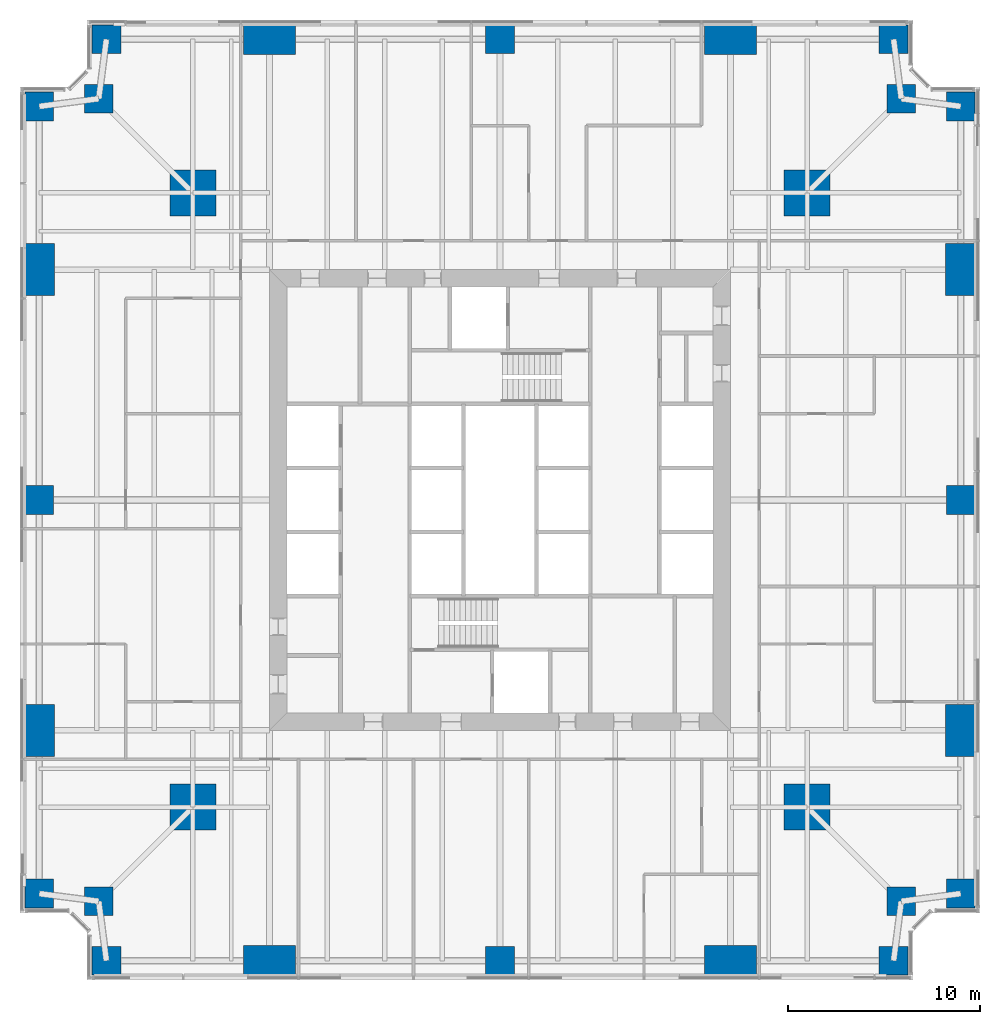
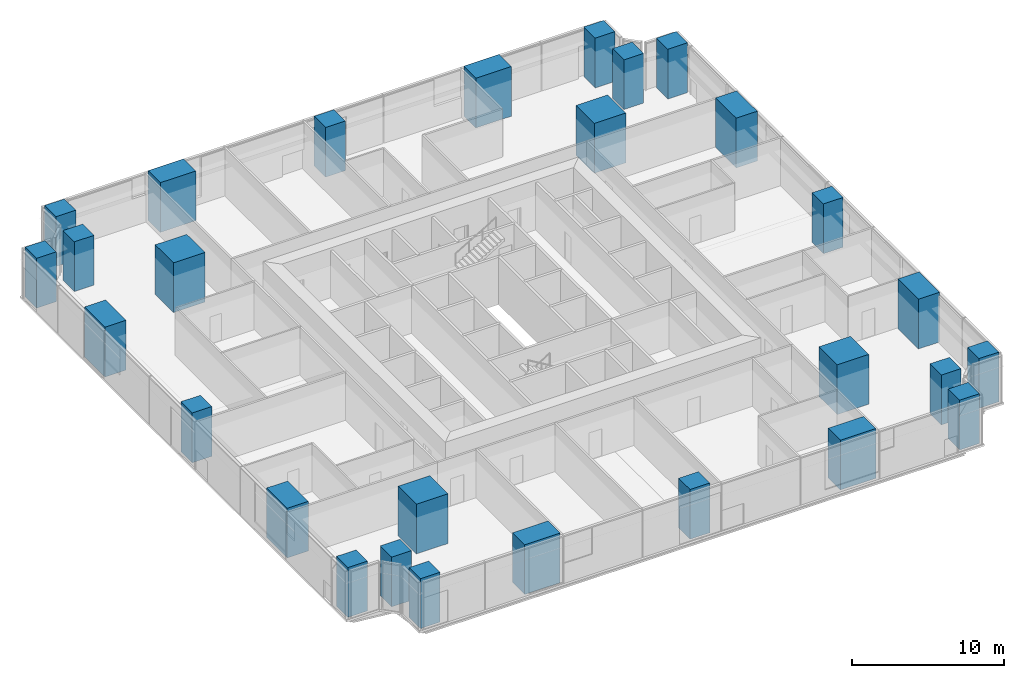
# One storey, part 1 of 14: 28 columns.
"""IFC4 building model written with IfcOpenShell, lengths in metres."""

import ifcopenshell
import ifcopenshell.guid

model = None  # the IFC model being written
_history = None  # IfcOwnerHistory: only IFC2X3 demands one
_inside = {}  # id of a spatial element -> (the spatial element, [elements in it])
_under = {}  # id of a project, library or spatial element -> (it, [spatial elements below it])
_declared = {}  # id of a project -> (the project, [libraries it declares])
_typed = {}  # id of a type object -> (the type object, [elements of that type])
_made_of = {}  # id of a material, layer set ... -> (it, [elements and type objects made of it])


def new_model(schema):
    """Start an empty IFC model of exactly this schema.

    Asked for "IFC4X3", IfcOpenShell would pick the latest addendum, in which some entities
    have other attributes; the version numbers below select the first issue.
    IFC2X3 requires an IfcOwnerHistory on every rooted entity: one is made here for all.
    """
    global model, _history
    if schema == "IFC4X3":
        model = ifcopenshell.file(schema_version=(4, 3, 0, 0))
    else:
        model = ifcopenshell.file(schema=schema)
    _inside.clear()
    _under.clear()
    _declared.clear()
    _typed.clear()
    _made_of.clear()
    _history = None
    if model.schema == "IFC2X3":
        org = make("IfcOrganization", Name="unknown")
        user = make(
            "IfcPersonAndOrganization",
            ThePerson=make("IfcPerson", FamilyName="unknown"),
            TheOrganization=org,
        )
        app = make(
            "IfcApplication",
            ApplicationDeveloper=org,
            Version="unknown",
            ApplicationFullName="unknown",
            ApplicationIdentifier="unknown",
        )
        _history = make(
            "IfcOwnerHistory",
            OwningUser=user,
            OwningApplication=app,
            ChangeAction="ADDED",
            CreationDate=0,
        )
    return model


def make(cls, **values):
    """One entity of the class cls with the attributes given. An attribute that is None is left unset."""
    return model.create_entity(
        cls, **{name: value for name, value in values.items() if value is not None}
    )


def rooted(cls, **values):
    """An entity with a GlobalId (a new one), such as an element, a storey or a relation."""
    return make(cls, GlobalId=ifcopenshell.guid.new(), OwnerHistory=_history, **values)


def si_unit(unit_type, name, prefix=None):
    """IfcSIUnit, for example si_unit("LENGTHUNIT", "METRE", prefix="MILLI")."""
    return make("IfcSIUnit", UnitType=unit_type, Prefix=prefix, Name=name)


def assignment(units):
    """IfcUnitAssignment: the units of a project."""
    return None if units is None else make("IfcUnitAssignment", Units=units)


def point(xyz):
    """IfcCartesianPoint."""
    return None if xyz is None else make("IfcCartesianPoint", Coordinates=xyz)


def direction(xyz):
    """IfcDirection."""
    return None if xyz is None else make("IfcDirection", DirectionRatios=xyz)


def frame(location, z_axis=None, x_axis=None):
    """IfcAxis2Placement3D, a coordinate frame: its origin and axes. An axis left out is left unset."""
    return make(
        "IfcAxis2Placement3D",
        Location=point(location),
        Axis=direction(z_axis),
        RefDirection=direction(x_axis),
    )


def frame_2d(location, x_axis=None):
    """IfcAxis2Placement2D, a coordinate frame in the plane: its origin and x axis."""
    return make(
        "IfcAxis2Placement2D", Location=point(location), RefDirection=direction(x_axis)
    )


def origin():
    """The frame at (0, 0, 0) with its axes left unset."""
    return frame((0.0, 0.0, 0.0))


def origin_2d():
    """The frame at (0, 0) in the plane with its x axis left unset."""
    return frame_2d((0.0, 0.0))


def place(relative_to, where):
    """IfcLocalPlacement: puts the frame where relative to a parent placement (None: the world)."""
    return make(
        "IfcLocalPlacement", PlacementRelTo=relative_to, RelativePlacement=where
    )


def context(
    kind, dimensions, precision=None, world=None, true_north=None, identifier=None
):
    """IfcGeometricRepresentationContext, for example the 3D "Model" context."""
    return make(
        "IfcGeometricRepresentationContext",
        ContextIdentifier=identifier,
        ContextType=kind,
        CoordinateSpaceDimension=dimensions,
        Precision=precision,
        WorldCoordinateSystem=world,
        TrueNorth=true_north,
    )


def subcontext(parent, identifier, kind, view, scale=None):
    """IfcGeometricRepresentationSubContext, for example "Body" below "Model"."""
    return make(
        "IfcGeometricRepresentationSubContext",
        ContextIdentifier=identifier,
        ContextType=kind,
        ParentContext=parent,
        TargetScale=scale,
        TargetView=view,
    )


def project(units=None, contexts=None):
    """IfcProject with its units and contexts."""
    return rooted(
        "IfcProject",
        Name="project",
        RepresentationContexts=contexts,
        UnitsInContext=assignment(units),
    )


def spatial(cls, under=None, at=None, **own):
    """A site, building, storey or space (cls), placed at a placement, below another one or the project."""
    s = rooted(cls, ObjectPlacement=at, **own)
    if under is not None:
        _under.setdefault(under.id(), (under, []))[1].append(s)
    return s


def profile(cls, at=None, kind="AREA", **sizes):
    """A parametric profile (cls). Its sizes go by their IFC names, for example OverallWidth=200.0."""
    return make(cls, ProfileType=kind, Position=at, **sizes)


def rectangle(**sizes):
    """IfcRectangleProfileDef."""
    return profile("IfcRectangleProfileDef", **sizes)


def extrude(swept, where, along, depth):
    """IfcExtrudedAreaSolid: the profile swept, set in the frame where, extruded along a direction by depth."""
    return make(
        "IfcExtrudedAreaSolid",
        SweptArea=swept,
        Position=where,
        ExtrudedDirection=direction(along),
        Depth=depth,
    )


def shape(context_of_items, identifier, shape_type, items):
    """IfcShapeRepresentation: the items that make up one representation, for example the "Body"."""
    return make(
        "IfcShapeRepresentation",
        ContextOfItems=context_of_items,
        RepresentationIdentifier=identifier,
        RepresentationType=shape_type,
        Items=items,
    )


def material(Name=None, Category=None):
    """IfcMaterial."""
    return make("IfcMaterial", Name=Name, Category=Category)


def material_profile(
    of_material, cross_section, Name=None, Category=None, Priority=None
):
    """IfcMaterialProfile: a cross section and its material."""
    return make(
        "IfcMaterialProfile",
        Name=Name,
        Material=of_material,
        Profile=cross_section,
        Priority=Priority,
        Category=Category,
    )


def profile_set(profiles, Name=None, composite=None):
    """IfcMaterialProfileSet."""
    return make(
        "IfcMaterialProfileSet",
        Name=Name,
        MaterialProfiles=profiles,
        CompositeProfile=composite,
    )


def made_of(thing, what):
    """Note that an element or type object is made of a material, layer set ...; save() writes the relation."""
    if what is not None:
        _made_of.setdefault(what.id(), (what, []))[1].append(thing)
    return thing


def type_object(cls, material=None, **own):
    """A type object (cls), such as IfcWallType, which elements share."""
    return made_of(rooted(cls, **own), material)


def element(
    cls,
    number,
    at=None,
    inside=None,
    cuts=None,
    type_object=None,
    material=None,
    context=None,
    identifier="Body",
    shape_type=None,
    held_by="IfcProductDefinitionShape",
    body=None,
    shapes=None,
    **own,
):
    """One element of the class cls, such as IfcWall. Its Tag is "e" and its number.

    at: its placement. inside: the storey or other place that contains it. cuts: it is an
    opening in that element (IfcRelVoidsElement). A single representation is given by context,
    identifier, shape_type and body (its items); several are given by shapes. held_by: the class
    of the entity that holds the representations. save() writes the other relations.
    """
    e = rooted(cls, Tag="e%d" % number, ObjectPlacement=at, **own)
    if body is not None:
        shapes = [shape(context, identifier, shape_type, body)]
    if shapes is not None:
        e.Representation = make(held_by, Representations=shapes)
    if inside is not None:
        _inside.setdefault(inside.id(), (inside, []))[1].append(e)
    if cuts is not None:
        rooted(
            "IfcRelVoidsElement", RelatingBuildingElement=cuts, RelatedOpeningElement=e
        )
    if type_object is not None:
        _typed.setdefault(type_object.id(), (type_object, []))[1].append(e)
    return made_of(e, material)


def aggregate(whole, parts):
    """IfcRelAggregates: a whole, such as a stair, and the parts it consists of."""
    return rooted("IfcRelAggregates", RelatingObject=whole, RelatedObjects=parts)


def save(model, path):
    """Write the relations noted so far, then the file.

    IfcRelAggregates (storeys below a building ...), IfcRelContainedInSpatialStructure (elements
    in a storey), IfcRelDefinesByType, IfcRelAssociatesMaterial and IfcRelDeclares: one each for
    every whole, place, type object, material and project.
    """
    for whole, parts in _under.values():
        aggregate(whole, parts)
    for where, things in _inside.values():
        rooted(
            "IfcRelContainedInSpatialStructure",
            RelatedElements=things,
            RelatingStructure=where,
        )
    for kind, things in _typed.values():
        rooted("IfcRelDefinesByType", RelatedObjects=things, RelatingType=kind)
    for what, things in _made_of.values():
        rooted("IfcRelAssociatesMaterial", RelatedObjects=things, RelatingMaterial=what)
    for by, libraries in _declared.values():
        rooted("IfcRelDeclares", RelatingContext=by, RelatedDefinitions=libraries)
    model.write(path)


model = new_model("IFC4")

# Units and contexts
model_context = context("Model", 3, precision=1e-05, world=origin(), true_north=direction((0.0, 1.0)))
body_context = subcontext(model_context, "Body", "Model", "MODEL_VIEW")
ifc_project = project(units=[si_unit("LENGTHUNIT", "METRE"), si_unit("AREAUNIT", "SQUARE_METRE"), si_unit("VOLUMEUNIT", "CUBIC_METRE"), si_unit("PLANEANGLEUNIT", "RADIAN"), si_unit("MASSUNIT", "GRAM", prefix="KILO")], contexts=[model_context])

# Site, building, storey
site_placement = place(None, origin())
site = spatial("IfcSite", under=ifc_project, at=site_placement, CompositionType="ELEMENT")
building_placement = place(site_placement, origin())
building = spatial("IfcBuilding", under=site, at=building_placement, Name="Fenwick Lantern Interchange", CompositionType="ELEMENT")
storey_placement = place(building_placement, frame((0.0, 0.0, 59.0)))
storey = spatial("IfcBuildingStorey", under=building, at=storey_placement, Name="L13", CompositionType="ELEMENT", Elevation=59.0)

# Columns
ifc_material = material(Name="Concrete f'c 70 MPa", Category="concrete")
ifc_material_profile_1 = material_profile(ifc_material, rectangle(XDim=2.39990234375, YDim=2.39990234375, at=origin_2d()), Name="RC2400X2400")
ifc_profile_set_1 = profile_set([ifc_material_profile_1], Name="Concrete f'c 70 MPa")
column_type_1 = type_object("IfcColumnType", Name="MEGA COLUMN RC2400X2400", PredefinedType="COLUMN", material=ifc_profile_set_1)
for number, where, z_axis, x_axis, name in (
    (1, (9.0, 9.0, 0.0), (0.0, 0.0, 1.0), (1.0, 0.0, 0.0), "L13/M1"),
    (2, (41.0, 9.0, 0.0), (0.0, 0.0, 1.0), (1.0, 0.0, 0.0), "L13/M2"),
    (3, (41.0, 41.0, 0.0), (0.0, 0.0, 1.0), (1.0, 0.0, 0.0), "L13/M3"),
    (4, (9.0, 41.0, 0.0), (0.0, 0.0, 1.0), (1.0, 0.0, 0.0), "L13/M4"),
):
    element("IfcColumn", number, at=place(storey_placement, frame(where, z_axis=z_axis, x_axis=x_axis)), inside=storey, type_object=column_type_1, Name=name, PredefinedType="COLUMN", context=body_context, shape_type="SweptSolid", body=[
        extrude(rectangle(XDim=2.39990234375, YDim=2.39990234375, at=origin_2d()), origin(), (0.0, 0.0, 1.0), 4.0),
    ])
ifc_material_profile_2 = material_profile(ifc_material, rectangle(XDim=1.5, YDim=1.5, at=origin_2d()), Name="RC1500X1500")
ifc_profile_set_2 = profile_set([ifc_material_profile_2], Name="Concrete f'c 70 MPa")
column_type_2 = type_object("IfcColumnType", Name="PERIMETER COLUMN RC1500X1500", PredefinedType="COLUMN", material=ifc_profile_set_2)
for number, where, z_axis, x_axis, name in (
    (5, (4.5, 1.0, 0.0), (0.0, 0.0, 1.0), (1.0, 0.0, 0.0), "L13/CS1"),
    (6, (25.0, 1.0, 0.0), (0.0, 0.0, 1.0), (1.0, 0.0, 0.0), "L13/CS3"),
    (7, (45.5, 1.0, 0.0), (0.0, 0.0, 1.0), (1.0, 0.0, 0.0), "L13/CS5"),
    (8, (45.89990234375, 4.10009765625, 0.0), (0.0, 0.0, 1.0), (1.0, 0.0, 0.0), "L13/CSR"),
    (9, (49.0, 4.5, 0.0), (0.0, 0.0, 1.0), (1.0, 0.0, 0.0), "L13/CE1"),
    (10, (49.0, 25.0, 0.0), (0.0, 0.0, 1.0), (1.0, 0.0, 0.0), "L13/CE3"),
    (11, (49.0, 45.5, 0.0), (0.0, 0.0, 1.0), (1.0, 0.0, 0.0), "L13/CE5"),
    (12, (45.89990234375, 45.89990234375, 0.0), (0.0, 0.0, 1.0), (1.0, 0.0, 0.0), "L13/CER"),
    (13, (45.5, 49.0, 0.0), (0.0, 0.0, 1.0), (1.0, 0.0, 0.0), "L13/CN1"),
    (14, (25.0, 49.0, 0.0), (0.0, 0.0, 1.0), (1.0, 0.0, 0.0), "L13/CN3"),
    (15, (4.5, 49.0, 0.0), (0.0, 0.0, 1.0), (1.0, 0.0, 0.0), "L13/CN5"),
    (16, (4.10009765625, 45.89990234375, 0.0), (0.0, 0.0, 1.0), (1.0, 0.0, 0.0), "L13/CNR"),
    (17, (1.0, 45.5, 0.0), (0.0, 0.0, 1.0), (1.0, 0.0, 0.0), "L13/CW1"),
    (18, (1.0, 25.0, 0.0), (0.0, 0.0, 1.0), (1.0, 0.0, 0.0), "L13/CW3"),
    (19, (1.0, 4.5, 0.0), (0.0, 0.0, 1.0), (1.0, 0.0, 0.0), "L13/CW5"),
    (20, (4.10009765625, 4.10009765625, 0.0), (0.0, 0.0, 1.0), (1.0, 0.0, 0.0), "L13/CWR"),
):
    element("IfcColumn", number, at=place(storey_placement, frame(where, z_axis=z_axis, x_axis=x_axis)), inside=storey, type_object=column_type_2, Name=name, PredefinedType="COLUMN", context=body_context, shape_type="SweptSolid", body=[
        extrude(rectangle(XDim=1.5, YDim=1.5, at=origin_2d()), origin(), (0.0, 0.0, 1.0), 4.0),
    ])
ifc_material_profile_3 = material_profile(ifc_material, rectangle(XDim=1.60009765625, YDim=2.699951171875, at=origin_2d()), Name="RC1600X2700")
ifc_profile_set_3 = profile_set([ifc_material_profile_3], Name="Concrete f'c 70 MPa")
column_type_3 = type_object("IfcColumnType", Name="PERIMETER COLUMN RC1600X2700", PredefinedType="COLUMN", material=ifc_profile_set_3)
for number, where, z_axis, x_axis, name in (
    (21, (49.0, 13.0, 0.0), (0.0, 0.0, 1.0), (1.0, 0.0, 0.0), "L13/CE2"),
    (22, (49.0, 37.0, 0.0), (0.0, 0.0, 1.0), (1.0, 0.0, 0.0), "L13/CE4"),
    (23, (1.0, 37.0, 0.0), (0.0, 0.0, 1.0), (1.0, 0.0, 0.0), "L13/CW2"),
    (24, (1.0, 13.0, 0.0), (0.0, 0.0, 1.0), (1.0, 0.0, 0.0), "L13/CW4"),
):
    element("IfcColumn", number, at=place(storey_placement, frame(where, z_axis=z_axis, x_axis=x_axis)), inside=storey, type_object=column_type_3, Name=name, PredefinedType="COLUMN", context=body_context, shape_type="SweptSolid", body=[
        extrude(rectangle(XDim=1.60009765625, YDim=2.699951171875, at=origin_2d()), origin(), (0.0, 0.0, 1.0), 4.0),
    ])
ifc_material_profile_4 = material_profile(ifc_material, rectangle(XDim=2.699951171875, YDim=1.60009765625, at=origin_2d()), Name="RC2700X1600")
ifc_profile_set_4 = profile_set([ifc_material_profile_4], Name="Concrete f'c 70 MPa")
column_type_4 = type_object("IfcColumnType", Name="PERIMETER COLUMN RC2700X1600", PredefinedType="COLUMN", material=ifc_profile_set_4)
for number, where, z_axis, x_axis, name in (
    (25, (13.0, 1.0, 0.0), (0.0, 0.0, 1.0), (1.0, 0.0, 0.0), "L13/CS2"),
    (26, (37.0, 1.0, 0.0), (0.0, 0.0, 1.0), (1.0, 0.0, 0.0), "L13/CS4"),
    (27, (37.0, 49.0, 0.0), (0.0, 0.0, 1.0), (1.0, 0.0, 0.0), "L13/CN2"),
    (28, (13.0, 49.0, 0.0), (0.0, 0.0, 1.0), (1.0, 0.0, 0.0), "L13/CN4"),
):
    element("IfcColumn", number, at=place(storey_placement, frame(where, z_axis=z_axis, x_axis=x_axis)), inside=storey, type_object=column_type_4, Name=name, PredefinedType="COLUMN", context=body_context, shape_type="SweptSolid", body=[
        extrude(rectangle(XDim=2.699951171875, YDim=1.60009765625, at=origin_2d()), origin(), (0.0, 0.0, 1.0), 4.0),
    ])

save(model, "model.ifc")
